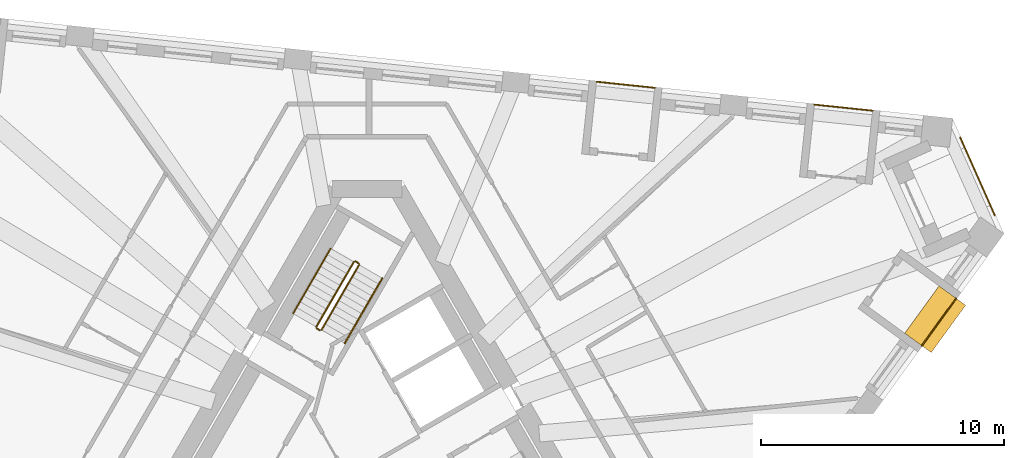
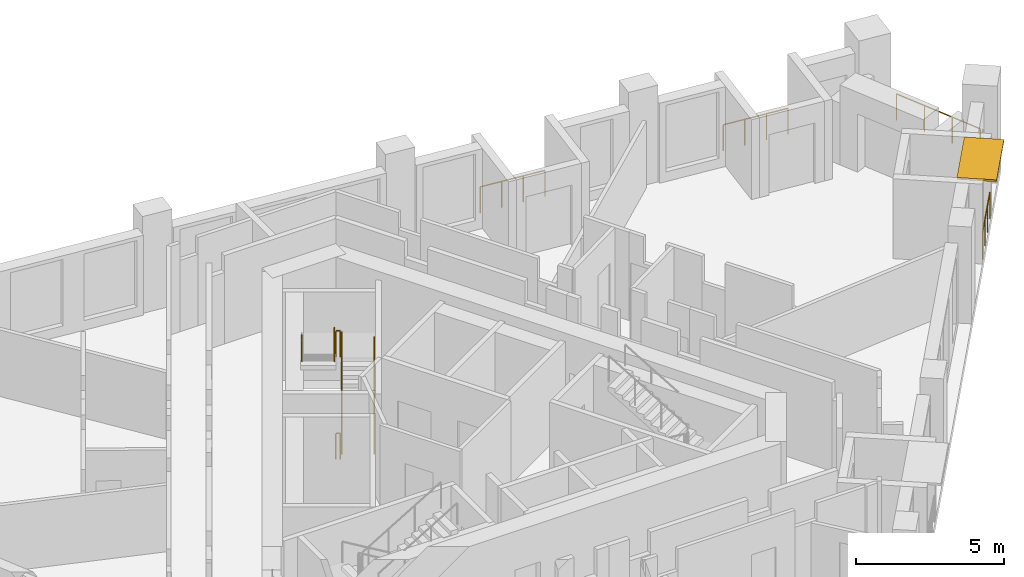
# One storey, part 11 of 11: 10 railings, 1 shading device.
"""IFC4 building model written with IfcOpenShell, lengths in metres."""

from ifc_helpers import new_model, si_unit, direction, frame, origin, origin_2d, place, context, subcontext, project, spatial, rectangle, circle, extrude, material, layer, layer_set, type_object, element, save


model = new_model("IFC4")

# Units and contexts
model_context = context("Model", 3, precision=1e-05, world=origin(), true_north=direction((0.0, 1.0)))
body_context = subcontext(model_context, "Body", "Model", "MODEL_VIEW")
ifc_project = project(units=[si_unit("LENGTHUNIT", "METRE"), si_unit("AREAUNIT", "SQUARE_METRE"), si_unit("VOLUMEUNIT", "CUBIC_METRE"), si_unit("PLANEANGLEUNIT", "RADIAN"), si_unit("MASSUNIT", "GRAM", prefix="KILO")], contexts=[model_context])

# Site, building, storey
site_placement = place(None, origin())
site = spatial("IfcSite", under=ifc_project, at=site_placement, CompositionType="ELEMENT")
building_placement = place(site_placement, origin())
building = spatial("IfcBuilding", under=site, at=building_placement, Name="Tramontana Tower", CompositionType="ELEMENT")
storey_placement = place(building_placement, frame((0.0, 0.0, 245.199951171875)))
storey = spatial("IfcBuildingStorey", under=building, at=storey_placement, Name="L57", CompositionType="ELEMENT", Elevation=245.199951171875)

# Railings
ifc_material_1 = material(Name="Laminated glass balustrade", Category="glass")
railing_type_1 = type_object("IfcRailingType", Name="GD1 Loggia glass balustrade 1100", PredefinedType="BALUSTRADE", material=ifc_material_1)
railing_1_placement = place(storey_placement, frame((22.802001953125, 4.21435546875, 0.0)))
element("IfcRailing", 1, at=railing_1_placement, inside=storey, type_object=railing_type_1, Name="Loggia balustrade L57 G6S1.13", PredefinedType="BALUSTRADE", context=body_context, shape_type="SweptSolid", body=[
    extrude(circle(Radius=0.02392578125, at=origin_2d()), frame((0.0, 0.0, 1.076171875), z_axis=(0.587718396543, 0.8090655637, 0.0), x_axis=(-0.8090655637, 0.587718396543, 0.0)), (0.0, 0.0, 1.0), 2.40234375),
    extrude(circle(Radius=0.02099609375, at=origin_2d()), origin(), (0.0, 0.0, 1.0), 1.052001953125),
    extrude(circle(Radius=0.02099609375, at=origin_2d()), frame((0.470703125, 0.64794921875, 0.0)), (0.0, 0.0, 1.0), 1.052001953125),
    extrude(circle(Radius=0.02099609375, at=origin_2d()), frame((0.941162109375, 1.295654296875, 0.0)), (0.0, 0.0, 1.0), 1.052001953125),
    extrude(circle(Radius=0.02099609375, at=origin_2d()), frame((1.411865234375, 1.943603515625, 0.0)), (0.0, 0.0, 1.0), 1.052001953125),
])
for number, where, name in (
    (2, (20.778564453125, 13.8740234375, 0.0), "Loggia balustrade L57 G6S2.1"),
    (3, (11.8212890625, 14.8154296875, 0.0), "Loggia balustrade L57 G6S2.4"),
):
    element("IfcRailing", number, at=place(storey_placement, frame(where)), inside=storey, type_object=railing_type_1, Name=name, PredefinedType="BALUSTRADE", context=body_context, shape_type="SweptSolid", body=[
        extrude(circle(Radius=0.02392578125, at=origin_2d()), frame((0.0, 0.0, 1.076171875), z_axis=(-0.994517140727, 0.104573690763, 0.0), x_axis=(-0.104573690763, -0.994517140727, 0.0)), (0.0, 0.0, 1.0), 2.40234375),
        extrude(circle(Radius=0.02099609375, at=origin_2d()), origin(), (0.0, 0.0, 1.0), 1.052001953125),
        extrude(circle(Radius=0.02099609375, at=origin_2d()), frame((-0.79638671875, 0.083740234375, 0.0)), (0.0, 0.0, 1.0), 1.052001953125),
        extrude(circle(Radius=0.02099609375, at=origin_2d()), frame((-1.5927734375, 0.16748046875, 0.0)), (0.0, 0.0, 1.0), 1.052001953125),
        extrude(circle(Radius=0.02099609375, at=origin_2d()), frame((-2.38916015625, 0.251220703125, 0.0)), (0.0, 0.0, 1.0), 1.052001953125),
    ])
railing_2_placement = place(storey_placement, frame((24.38330078125, 12.771728515625, 0.0)))
element("IfcRailing", 4, at=railing_2_placement, inside=storey, type_object=railing_type_1, Name="Corner loggia balustrade L57 K62", PredefinedType="BALUSTRADE", context=body_context, shape_type="SweptSolid", body=[
    extrude(circle(Radius=0.02392578125, at=origin_2d()), frame((0.0, 0.0, 1.076171875), z_axis=(0.406753242783, -0.913538066796, 0.0), x_axis=(0.913538066796, 0.406753242783, 0.0)), (0.0, 0.0, 1.0), 3.499755859375),
    extrude(circle(Radius=0.02099609375, at=origin_2d()), origin(), (0.0, 0.0, 1.0), 1.052001953125),
    extrude(circle(Radius=0.02099609375, at=origin_2d()), frame((0.474609375, -1.065673828125, 0.0)), (0.0, 0.0, 1.0), 1.052001953125),
    extrude(circle(Radius=0.02099609375, at=origin_2d()), frame((0.948974609375, -2.131591796875, 0.0)), (0.0, 0.0, 1.0), 1.052001953125),
    extrude(circle(Radius=0.02099609375, at=origin_2d()), frame((1.423583984375, -3.197265625, 0.0)), (0.0, 0.0, 1.0), 1.052001953125),
])

# Shading device
ifc_material_2 = material(Name="Precast concrete 60 MPa", Category="concrete")
ifc_layer = layer(ifc_material_2, 0.080078125)
ifc_layer_set = layer_set([ifc_layer], Name="SS3 Stone sunshade blade 80")
shading_device_type = type_object("IfcShadingDeviceType", Name="SS3 Stone sunshade blade 80", PredefinedType="USERDEFINED", material=ifc_layer_set)
shading_device_placement = place(storey_placement, frame((23.35009765625, 5.30078125, 3.219970703125), z_axis=(0.0, 0.0, 1.0), x_axis=(0.587785252292, 0.809016994375, 0.0)))
element("IfcShadingDevice", 5, at=shading_device_placement, inside=storey, type_object=shading_device_type, Name="Sunshade L57 G6S1.13", ObjectType="SUNSHADE", PredefinedType="USERDEFINED", context=body_context, shape_type="SweptSolid", body=[
    extrude(rectangle(XDim=2.402099609375, YDim=1.35009765625, at=origin_2d()), origin(), (0.0, 0.0, 1.0), 0.080078125),
])

# Railings
ifc_material_3 = material(Name="Painted steel", Category="steel")
railing_type_2 = type_object("IfcRailingType", Name="STAIR GUARD 1100", PredefinedType="GUARDRAIL", material=ifc_material_3)
railing_3_placement = place(storey_placement, frame((-1.867431640625, 4.865478515625, 0.166748046875)))
element("IfcRailing", 6, at=railing_3_placement, inside=storey, type_object=railing_type_2, Name="L57 ST1 stair guard 1", PredefinedType="GUARDRAIL", context=body_context, shape_type="SweptSolid", body=[
    extrude(circle(Radius=0.02392578125, at=origin_2d()), frame((0.0, 0.0, 1.076171875), z_axis=(0.429649414936, 0.744189839504, 0.511451721109), x_axis=(-0.866029832698, 0.499992328818, 0.0)), (0.0, 0.0, 1.0), 3.58447265625),
    extrude(circle(Radius=0.02099609375, at=origin_2d()), origin(), (0.0, 0.0, 1.0), 1.052001953125),
    extrude(circle(Radius=0.02099609375, at=origin_2d()), frame((0.513427734375, 0.88916015625, 0.611083984375)), (0.0, 0.0, 1.0), 1.052001953125),
    extrude(circle(Radius=0.02099609375, at=origin_2d()), frame((1.026611328125, 1.7783203125, 1.22216796875)), (0.0, 0.0, 1.0), 1.052001953125),
    extrude(circle(Radius=0.02099609375, at=origin_2d()), frame((1.5400390625, 2.66748046875, 1.833251953125)), (0.0, 0.0, 1.0), 1.052001953125),
])
railing_4_placement = place(storey_placement, frame((-0.5439453125, 7.657958984375, 2.166748046875)))
element("IfcRailing", 7, at=railing_4_placement, inside=storey, type_object=railing_type_2, Name="L57 ST1 stair guard 2", PredefinedType="GUARDRAIL", context=body_context, shape_type="SweptSolid", body=[
    extrude(circle(Radius=0.02392578125, at=origin_2d()), frame((0.0, 0.0, 1.076171875), z_axis=(-0.429649414936, -0.744189839504, 0.511451721109), x_axis=(0.866029832698, -0.499992328818, 0.0)), (0.0, 0.0, 1.0), 3.58447265625),
    extrude(circle(Radius=0.02099609375, at=origin_2d()), origin(), (0.0, 0.0, 1.0), 1.052001953125),
    extrude(circle(Radius=0.02099609375, at=origin_2d()), frame((-0.513427734375, -0.88916015625, 0.611083984375)), (0.0, 0.0, 1.0), 1.052001953125),
    extrude(circle(Radius=0.02099609375, at=origin_2d()), frame((-1.026611328125, -1.7783203125, 1.22216796875)), (0.0, 0.0, 1.0), 1.052001953125),
    extrude(circle(Radius=0.02099609375, at=origin_2d()), frame((-1.5400390625, -2.66748046875, 1.833251953125)), (0.0, 0.0, 1.0), 1.052001953125),
])
railing_5_placement = place(storey_placement, frame((-0.345703125, 7.601318359375, 2.0)))
element("IfcRailing", 8, at=railing_5_placement, inside=storey, type_object=railing_type_2, Name="L57 ST1 stair guard 3", PredefinedType="GUARDRAIL", context=body_context, shape_type="SweptSolid", body=[
    extrude(circle(Radius=0.02392578125, at=origin_2d()), frame((0.0, 0.0, 1.076171875), z_axis=(-0.866131372301, 0.499816412211, 0.0), x_axis=(-0.499816412211, -0.866131372301, 0.0)), (0.0, 0.0, 1.0), 0.14990234375),
    extrude(circle(Radius=0.02099609375, at=origin_2d()), origin(), (0.0, 0.0, 1.0), 1.052001953125),
    extrude(circle(Radius=0.02099609375, at=origin_2d()), frame((-0.1298828125, 0.074951171875, 0.0)), (0.0, 0.0, 1.0), 1.052001953125),
])
railing_6_placement = place(storey_placement, frame((-1.935791015625, 4.84716796875, 0.0)))
element("IfcRailing", 9, at=railing_6_placement, inside=storey, type_object=railing_type_2, Name="L57 ST1 stair guard 4", PredefinedType="GUARDRAIL", context=body_context, shape_type="SweptSolid", body=[
    extrude(circle(Radius=0.02392578125, at=origin_2d()), frame((0.0, 0.0, 1.076171875), z_axis=(-0.865426285481, 0.501036270542, 0.0), x_axis=(-0.501036270542, -0.865426285481, 0.0)), (0.0, 0.0, 1.0), 0.150146484375),
    extrude(circle(Radius=0.02099609375, at=origin_2d()), origin(), (0.0, 0.0, 1.0), 1.052001953125),
    extrude(circle(Radius=0.02099609375, at=origin_2d()), frame((-0.1298828125, 0.0751953125, 0.0)), (0.0, 0.0, 1.0), 1.052001953125),
])
ifc_material_4 = material(Name="Painted steel", Category="steel")
railing_type_3 = type_object("IfcRailingType", Name="STAIR HANDRAIL 900", PredefinedType="HANDRAIL", material=ifc_material_4)
railing_7_placement = place(storey_placement, frame((-0.914794921875, 4.315673828125, 0.166748046875)))
element("IfcRailing", 10, at=railing_7_placement, inside=storey, type_object=railing_type_3, Name="L57 ST1 stair handrail 1", PredefinedType="HANDRAIL", context=body_context, shape_type="SweptSolid", body=[
    extrude(circle(Radius=0.02392578125, at=origin_2d()), frame((0.0, 0.0, 0.8759765625), z_axis=(0.429671193721, 0.744159446956, 0.511477646425), x_axis=(-0.866010015463, 0.500026652407, 0.0)), (0.0, 0.0, 1.0), 3.584228515625),
    extrude(circle(Radius=0.02099609375, at=origin_2d()), origin(), (0.0, 0.0, 1.0), 0.851806640625),
    extrude(circle(Radius=0.02099609375, at=origin_2d()), frame((0.513427734375, 0.88916015625, 0.611083984375)), (0.0, 0.0, 1.0), 0.851806640625),
    extrude(circle(Radius=0.02099609375, at=origin_2d()), frame((1.026611328125, 1.778076171875, 1.22216796875)), (0.0, 0.0, 1.0), 0.851806640625),
    extrude(circle(Radius=0.02099609375, at=origin_2d()), frame((1.5400390625, 2.667236328125, 1.833251953125)), (0.0, 0.0, 1.0), 0.851806640625),
])
railing_8_placement = place(storey_placement, frame((-1.49658203125, 8.2080078125, 2.166748046875)))
element("IfcRailing", 11, at=railing_8_placement, inside=storey, type_object=railing_type_3, Name="L57 ST1 stair handrail 2", PredefinedType="HANDRAIL", context=body_context, shape_type="SweptSolid", body=[
    extrude(circle(Radius=0.02392578125, at=origin_2d()), frame((0.0, 0.0, 0.8759765625), z_axis=(-0.429649414936, -0.744189839504, 0.511451721109), x_axis=(0.866029832698, -0.499992328818, 0.0)), (0.0, 0.0, 1.0), 3.58447265625),
    extrude(circle(Radius=0.02099609375, at=origin_2d()), origin(), (0.0, 0.0, 1.0), 0.851806640625),
    extrude(circle(Radius=0.02099609375, at=origin_2d()), frame((-0.513427734375, -0.88916015625, 0.611083984375)), (0.0, 0.0, 1.0), 0.851806640625),
    extrude(circle(Radius=0.02099609375, at=origin_2d()), frame((-1.026611328125, -1.7783203125, 1.22216796875)), (0.0, 0.0, 1.0), 0.851806640625),
    extrude(circle(Radius=0.02099609375, at=origin_2d()), frame((-1.5400390625, -2.66748046875, 1.833251953125)), (0.0, 0.0, 1.0), 0.851806640625),
])

save(model, "model.ifc")
